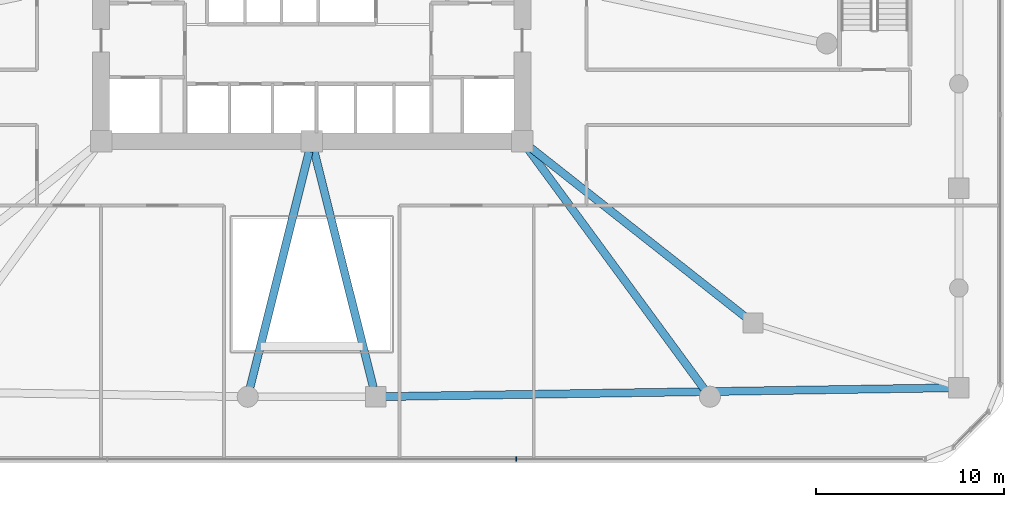
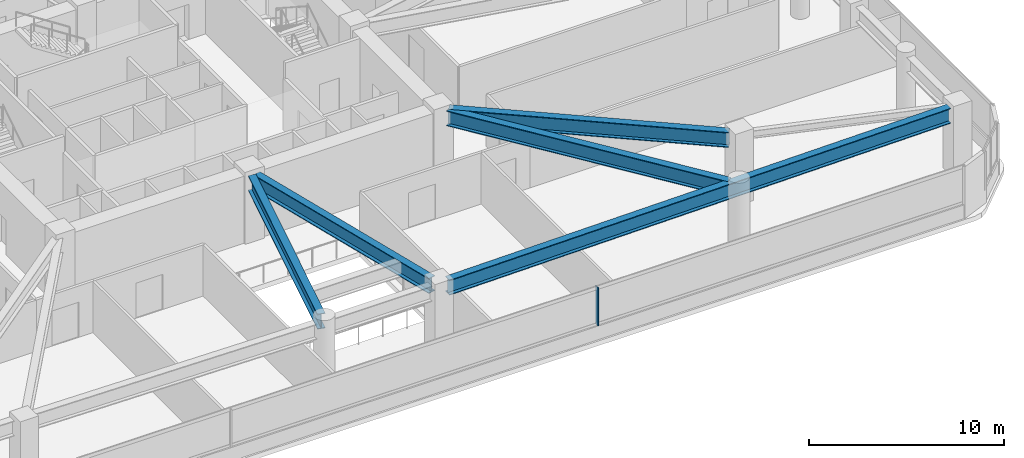
# One storey, part 4 of 21: 5 beams, 1 member, 1 element without a shape of its own.
"""IFC4 building model written with IfcOpenShell, lengths in metres."""

from ifc_helpers import new_model, si_unit, derived_unit, direction, frame, origin, origin_2d, place, context, subcontext, project, spatial, rectangle, i_section, extrude, material, material_profile, profile_set, type_object, element, aggregate, save


model = new_model("IFC4")

# Units and contexts
model_context = context("Model", 3, precision=1e-05, world=origin(), true_north=direction((0.0, 1.0)))
body_context = subcontext(model_context, "Body", "Model", "MODEL_VIEW")
ifc_project = project(units=[si_unit("LENGTHUNIT", "METRE"), si_unit("AREAUNIT", "SQUARE_METRE"), si_unit("VOLUMEUNIT", "CUBIC_METRE"), si_unit("PLANEANGLEUNIT", "RADIAN"), si_unit("MASSUNIT", "GRAM", prefix="KILO"), derived_unit("THERMALTRANSMITTANCEUNIT", [(si_unit("POWERUNIT", "WATT"), 1), (si_unit("LENGTHUNIT", "METRE"), -2), (si_unit("THERMODYNAMICTEMPERATUREUNIT", "KELVIN"), -1)])], contexts=[model_context])

# Site, building, storey
site_placement = place(None, origin())
site = spatial("IfcSite", under=ifc_project, at=site_placement, CompositionType="ELEMENT")
building_placement = place(site_placement, origin())
building = spatial("IfcBuilding", under=site, at=building_placement, Name="Koralith Skygarden Medical Center", CompositionType="ELEMENT")
storey_placement = place(building_placement, frame((0.0, 0.0, 5.39990234375)))
storey = spatial("IfcBuildingStorey", under=building, at=storey_placement, Name="L01", CompositionType="ELEMENT", Elevation=5.39990234375)

# Curtain wall, member
ifc_material_1 = material(Name="Clear Laminated Glass", Category="glass")
curtain_wall_type = type_object("IfcCurtainWallType", Name="CW-1 Transit & Podium Acoustic Curtain Wall", PredefinedType="NOTDEFINED", material=ifc_material_1)
curtain_wall_placement = place(storey_placement, origin())
curtain_wall = element("IfcCurtainWall", 1, at=curtain_wall_placement, inside=storey, type_object=curtain_wall_type, Name="Curtain Wall CW-L01-S", PredefinedType="NOTDEFINED")
ifc_material_2 = material(Name="Aluminium 6063-T6", Category="aluminium")
ifc_material_profile_1 = material_profile(ifc_material_2, rectangle(XDim=0.068115234375, YDim=0.239990234375, at=origin_2d()), Name="MUL68X240")
ifc_profile_set_1 = profile_set([ifc_material_profile_1], Name="Aluminium 6063-T6")
member_type = type_object("IfcMemberType", Name="CW-1 Extruded Mullion 68x240", PredefinedType="MULLION", material=ifc_profile_set_1)
member_placement = place(storey_placement, frame((47.8740234375, 0.419921875, 0.85009765625), z_axis=(0.0, 0.0, 1.0), x_axis=(1.0, 0.0, 0.0)))
member = element("IfcMember", 2, at=member_placement, type_object=member_type, Name="CW-L01-S Mullion 3", PredefinedType="MULLION", context=body_context, shape_type="SweptSolid", body=[
    extrude(rectangle(XDim=0.068115234375, YDim=0.239990234375, at=origin_2d()), origin(), (0.0, 0.0, 1.0), 2.389892578125),
])
aggregate(curtain_wall, [member])

# Beams
ifc_material_3 = material(Name="Steel ASTM A992 Grade 50", Category="steel")
ifc_material_profile_2 = material_profile(ifc_material_3, i_section(OverallWidth=0.423095703125, OverallDepth=0.947998046875, WebThickness=0.02392578125, FlangeThickness=0.042724609375, at=origin_2d()), Name="W36X302")
ifc_profile_set_2 = profile_set([ifc_material_profile_2], Name="Steel ASTM A992 Grade 50")
beam_type = type_object("IfcBeamType", Name="Podium Concourse Girder W36X302", PredefinedType="BEAM", material=ifc_profile_set_2)
beam_1_placement = place(storey_placement, frame((40.919921875, 3.72802734375, 3.72607421875), z_axis=(0.999880161393, 0.015481048165, 0.0), x_axis=(-0.015481048165, 0.999880161393, 0.0)))
element("IfcBeam", 3, at=beam_1_placement, inside=storey, type_object=beam_type, Name="L01 Podium Perimeter Beam PB-04", PredefinedType="BEAM", context=body_context, shape_type="SweptSolid", body=[
    extrude(i_section(OverallWidth=0.423095703125, OverallDepth=0.947998046875, WebThickness=0.02392578125, FlangeThickness=0.042724609375, at=origin_2d()), origin(), (0.0, 0.0, 1.0), 29.963623046875),
])
for number, where, z_axis, x_axis, name in (
    (4, (36.864013671875, 16.757080078125, 3.72607421875), (-0.242877971824, -0.970056849263, 0.0), (0.970056849263, -0.242877971824, 0.0), "L01 Podium Radial Girder PRG-04"),
    (5, (37.135986328125, 16.757080078125, 3.72607421875), (0.242877971824, -0.970056849263, 0.0), (0.970056849263, 0.242877971824, 0.0), "L01 Podium Radial Girder PRG-05"),
):
    element("IfcBeam", number, at=place(storey_placement, frame(where, z_axis=z_axis, x_axis=x_axis)), inside=storey, type_object=beam_type, Name=name, PredefinedType="BEAM", context=body_context, shape_type="SweptSolid", body=[
        extrude(i_section(OverallWidth=0.423095703125, OverallDepth=0.947998046875, WebThickness=0.02392578125, FlangeThickness=0.042724609375, at=origin_2d()), origin(), (0.0, 0.0, 1.0), 12.919921875),
    ])
beam_2_placement = place(storey_placement, frame((48.531005859375, 16.84912109375, 3.72607421875), z_axis=(0.59170530555, -0.806154347122, 0.0), x_axis=(0.806154347122, 0.59170530555, 0.0)))
element("IfcBeam", 6, at=beam_2_placement, inside=storey, type_object=beam_type, Name="L01 Podium Radial Girder PRG-06", PredefinedType="BEAM", context=body_context, shape_type="SweptSolid", body=[
    extrude(i_section(OverallWidth=0.423095703125, OverallDepth=0.947998046875, WebThickness=0.02392578125, FlangeThickness=0.042724609375, at=origin_2d()), origin(), (0.0, 0.0, 1.0), 15.766357421875),
])
beam_3_placement = place(storey_placement, frame((48.639892578125, 16.952880859375, 3.72607421875), z_axis=(0.785504791859, -0.618855574401, 0.0), x_axis=(0.618855574401, 0.785504791859, 0.0)))
element("IfcBeam", 7, at=beam_3_placement, inside=storey, type_object=beam_type, Name="L01 Podium Radial Girder PRG-07", PredefinedType="BEAM", context=body_context, shape_type="SweptSolid", body=[
    extrude(i_section(OverallWidth=0.423095703125, OverallDepth=0.947998046875, WebThickness=0.02392578125, FlangeThickness=0.042724609375, at=origin_2d()), origin(), (0.0, 0.0, 1.0), 14.5283203125),
])

save(model, "model.ifc")
